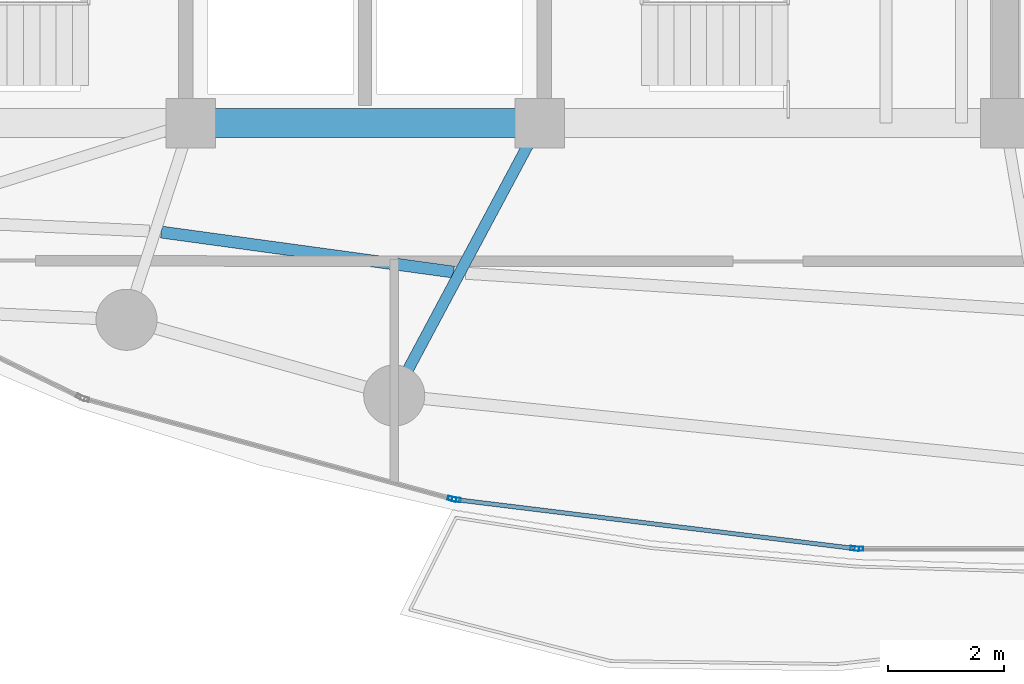
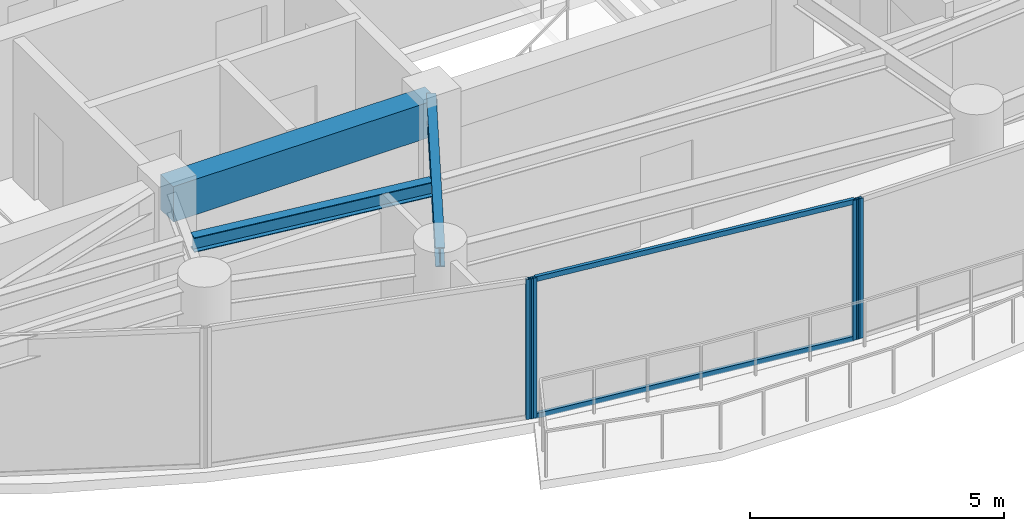
# One storey, part 5 of 28: 6 members, 3 beams, 3 elements without a shape of their own.
"""IFC4 building model written with IfcOpenShell, lengths in metres."""

from ifc_helpers import new_model, si_unit, direction, frame, origin, origin_2d, place, context, subcontext, project, spatial, rectangle, hollow_rectangle, i_section, extrude, material, layer, layer_set, material_profile, profile_set, type_object, element, aggregate, save


model = new_model("IFC4")

# Units and contexts
model_context = context("Model", 3, precision=1e-05, world=origin(), true_north=direction((0.0, 1.0)))
body_context = subcontext(model_context, "Body", "Model", "MODEL_VIEW")
ifc_project = project(units=[si_unit("LENGTHUNIT", "METRE"), si_unit("AREAUNIT", "SQUARE_METRE"), si_unit("VOLUMEUNIT", "CUBIC_METRE"), si_unit("PLANEANGLEUNIT", "RADIAN"), si_unit("MASSUNIT", "GRAM", prefix="KILO")], contexts=[model_context])

# Site, building, storey
site_placement = place(None, origin())
site = spatial("IfcSite", under=ifc_project, at=site_placement, CompositionType="ELEMENT")
building_placement = place(site_placement, origin())
building = spatial("IfcBuilding", under=site, at=building_placement, Name="Kazevale Care Tower and Concert Hall", CompositionType="ELEMENT")
storey_placement = place(building_placement, frame((0.0, 0.0, 231.60009765625)))
storey = spatial("IfcBuildingStorey", under=building, at=storey_placement, Name="L61", CompositionType="ELEMENT", Elevation=231.60009765625)

# Curtain wall, member
ifc_material_1 = material(Name="Aluminium 6063-T6 and Low-E Glass", Category="aluminium")
ifc_layer = layer(ifc_material_1, 0.179931640625)
ifc_layer_set = layer_set([ifc_layer], Name="Aluminium 6063-T6 and Low-E Glass")
curtain_wall_type = type_object("IfcCurtainWallType", Name="Sheltered Concave Balcony Curtain Wall CW-5", PredefinedType="NOTDEFINED", material=ifc_layer_set)
curtain_wall_1_placement = place(storey_placement, origin())
curtain_wall_1 = element("IfcCurtainWall", 1, at=curtain_wall_1_placement, inside=storey, type_object=curtain_wall_type, Name="cw:L61:f06", PredefinedType="NOTDEFINED")
ifc_material_2 = material(Name="Aluminium 6063-T6", Category="aluminium")
ifc_material_profile_1 = material_profile(ifc_material_2, hollow_rectangle(XDim=0.074951171875, YDim=0.14990234375, WallThickness=0.00390625, at=origin_2d()), Name="ALU75x150x4")
ifc_profile_set_1 = profile_set([ifc_material_profile_1], Name="Aluminium 6063-T6")
member_type_1 = type_object("IfcMemberType", Name="CW-5 Mullion ALU75x150x4", PredefinedType="MULLION", material=ifc_profile_set_1)
member_1_placement = place(storey_placement, frame((41.487548828125, 16.284912109375, 0.0), z_axis=(0.0, 0.0, 1.0), x_axis=(0.0, -1.0, 0.0)))
member_1 = element("IfcMember", 2, at=member_1_placement, type_object=member_type_1, Name="CW-5 mullion 2", PredefinedType="MULLION", context=body_context, shape_type="SweptSolid", body=[
    extrude(hollow_rectangle(XDim=0.074951171875, YDim=0.14990234375, WallThickness=0.00390625, at=origin_2d()), origin(), (0.0, 0.0, 1.0), 3.35986328125),
])
aggregate(curtain_wall_1, [member_1])

# Curtain wall, members
curtain_wall_2_placement = place(storey_placement, origin())
curtain_wall_2 = element("IfcCurtainWall", 3, at=curtain_wall_2_placement, inside=storey, type_object=curtain_wall_type, Name="cw:L61:f07", PredefinedType="NOTDEFINED")
member_2_placement = place(storey_placement, frame((41.412841796875, 16.28955078125, 0.0), z_axis=(0.0, 0.0, 1.0), x_axis=(-0.121650797964, -0.992572961225, 0.0)))
member_2 = element("IfcMember", 4, at=member_2_placement, type_object=member_type_1, Name="CW-5 mullion 1", PredefinedType="MULLION", context=body_context, shape_type="SweptSolid", body=[
    extrude(hollow_rectangle(XDim=0.074951171875, YDim=0.14990234375, WallThickness=0.00390625, at=origin_2d()), origin(), (0.0, 0.0, 1.0), 3.35986328125),
])
member_3_placement = place(storey_placement, frame((34.568115234375, 17.12841796875, 0.0), z_axis=(0.0, 0.0, 1.0), x_axis=(-0.121650797964, -0.992572961225, 0.0)))
member_3 = element("IfcMember", 5, at=member_3_placement, type_object=member_type_1, Name="CW-5 mullion 2", PredefinedType="MULLION", context=body_context, shape_type="SweptSolid", body=[
    extrude(hollow_rectangle(XDim=0.074951171875, YDim=0.14990234375, WallThickness=0.00390625, at=origin_2d()), origin(), (0.0, 0.0, 1.0), 3.35986328125),
])

# Curtain wall, member
curtain_wall_3_placement = place(storey_placement, origin())
curtain_wall_3 = element("IfcCurtainWall", 6, at=curtain_wall_3_placement, inside=storey, type_object=curtain_wall_type, Name="cw:L61:f08", PredefinedType="NOTDEFINED")
member_4_placement = place(storey_placement, frame((34.494873046875, 17.142822265625, 0.0), z_axis=(0.0, 0.0, 1.0), x_axis=(-0.262848968947, -0.964836991167, 0.0)))
member_4 = element("IfcMember", 7, at=member_4_placement, type_object=member_type_1, Name="CW-5 mullion 1", PredefinedType="MULLION", context=body_context, shape_type="SweptSolid", body=[
    extrude(hollow_rectangle(XDim=0.074951171875, YDim=0.14990234375, WallThickness=0.00390625, at=origin_2d()), origin(), (0.0, 0.0, 1.0), 3.35986328125),
])
aggregate(curtain_wall_3, [member_4])

# Member
ifc_material_profile_2 = material_profile(ifc_material_2, hollow_rectangle(XDim=0.074951171875, YDim=0.1201171875, WallThickness=0.00390625, at=origin_2d()), Name="ALU75x120x4")
ifc_profile_set_2 = profile_set([ifc_material_profile_2], Name="Aluminium 6063-T6")
member_type_2 = type_object("IfcMemberType", Name="CW-5 Transom ALU75x120x4", PredefinedType="USERDEFINED", material=ifc_profile_set_2)
member_5_placement = place(storey_placement, frame((41.37548828125, 16.294189453125, 0.037353515625), z_axis=(-0.992575633306, 0.121628993941, 0.0), x_axis=(-0.121628993941, -0.992575633306, 0.0)))
member_5 = element("IfcMember", 8, at=member_5_placement, type_object=member_type_2, Name="CW-5 transom 1.1", ObjectType="TRANSOM", PredefinedType="USERDEFINED", context=body_context, shape_type="SweptSolid", body=[
    extrude(hollow_rectangle(XDim=0.074951171875, YDim=0.1201171875, WallThickness=0.00390625, at=origin_2d()), origin(), (0.0, 0.0, 1.0), 6.820556640625),
])

member_6_placement = place(storey_placement, frame((41.37548828125, 16.294189453125, 3.322509765625), z_axis=(-0.992575633306, 0.121628993941, 0.0), x_axis=(-0.121628993941, -0.992575633306, 0.0)))
member_6 = element("IfcMember", 9, at=member_6_placement, type_object=member_type_2, Name="CW-5 transom 1.2", ObjectType="TRANSOM", PredefinedType="USERDEFINED", context=body_context, shape_type="SweptSolid", body=[
    extrude(hollow_rectangle(XDim=0.074951171875, YDim=0.1201171875, WallThickness=0.00390625, at=origin_2d()), origin(), (0.0, 0.0, 1.0), 6.820556640625),
])

aggregate(curtain_wall_2, [member_2, member_3, member_5, member_6])

# Beams
ifc_material_3 = material(Name="Concrete C60", Category="concrete")
ifc_material_profile_3 = material_profile(ifc_material_3, rectangle(XDim=0.5, YDim=0.85009765625, at=origin_2d()), Name="RC-B500x850")
ifc_profile_set_3 = profile_set([ifc_material_profile_3], Name="Concrete C60")
beam_type_1 = type_object("IfcBeamType", Name="Core Coupling Beam RC500x850", PredefinedType="LINTEL", material=ifc_profile_set_3)
beam_1_placement = place(storey_placement, frame((30.0, 23.60009765625, 2.934814453125), z_axis=(1.0, 0.0, 0.0), x_axis=(0.0, 1.0, 0.0)))
element("IfcBeam", 10, at=beam_1_placement, inside=storey, type_object=beam_type_1, Name="beam:L61:coretie:2", PredefinedType="LINTEL", context=body_context, shape_type="SweptSolid", body=[
    extrude(rectangle(XDim=0.5, YDim=0.85009765625, at=origin_2d()), origin(), (0.0, 0.0, 1.0), 6.0),
])
ifc_material_4 = material(Name="Steel ASTM A572 Gr 50", Category="steel")
ifc_material_profile_4 = material_profile(ifc_material_4, i_section(OverallWidth=0.19091796875, OverallDepth=0.4599609375, WebThickness=0.010009765625, FlangeThickness=0.01611328125, at=origin_2d()), Name="W460x82")
ifc_profile_set_4 = profile_set([ifc_material_profile_4], Name="Steel ASTM A572 Gr 50")
beam_type_2 = type_object("IfcBeamType", Name="Radial Floor Beam W460x82", PredefinedType="BEAM", material=ifc_profile_set_4)
beam_2_placement = place(storey_placement, frame((36.0, 23.60009765625, 3.1298828125), z_axis=(-0.471161293943, -0.88204707079, 0.0), x_axis=(0.88204707079, -0.471161293943, 0.0)))
element("IfcBeam", 11, at=beam_2_placement, inside=storey, type_object=beam_type_2, Name="beam:L61:rad:12", PredefinedType="BEAM", context=body_context, shape_type="SweptSolid", body=[
    extrude(i_section(OverallWidth=0.19091796875, OverallDepth=0.4599609375, WebThickness=0.010009765625, FlangeThickness=0.01611328125, at=origin_2d()), origin(), (0.0, 0.0, 1.0), 5.30615234375),
])
ifc_material_profile_5 = material_profile(ifc_material_4, i_section(OverallWidth=0.205078125, OverallDepth=0.35400390625, WebThickness=0.009521484375, FlangeThickness=0.016845703125, at=origin_2d()), Name="W360x79")
ifc_profile_set_5 = profile_set([ifc_material_profile_5], Name="Steel ASTM A572 Gr 50")
beam_type_3 = type_object("IfcBeamType", Name="Secondary Floor Joist W360x79", PredefinedType="JOIST", material=ifc_profile_set_5)
beam_3_placement = place(storey_placement, frame((29.4990234375, 21.72705078125, 3.182861328125), z_axis=(0.990772043119, -0.13553877148, 0.0), x_axis=(0.13553877148, 0.990772043119, 0.0)))
element("IfcBeam", 12, at=beam_3_placement, inside=storey, type_object=beam_type_3, Name="beam:L61:joist:11", PredefinedType="JOIST", context=body_context, shape_type="SweptSolid", body=[
    extrude(i_section(OverallWidth=0.205078125, OverallDepth=0.35400390625, WebThickness=0.009521484375, FlangeThickness=0.016845703125, at=origin_2d()), origin(), (0.0, 0.0, 1.0), 5.06884765625),
])

save(model, "model.ifc")
